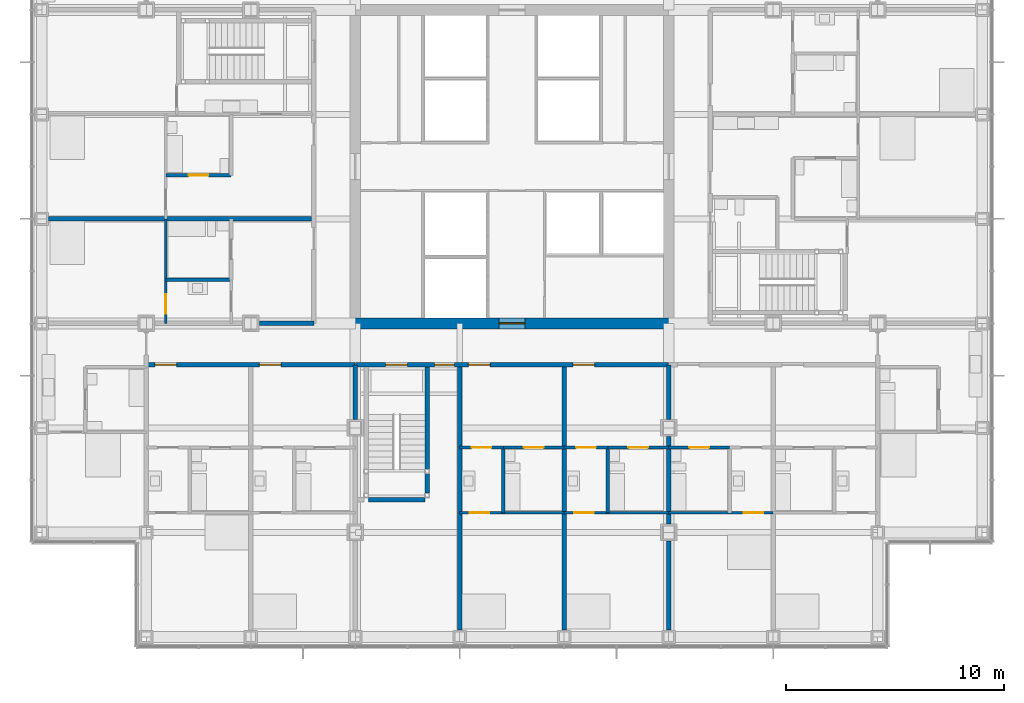
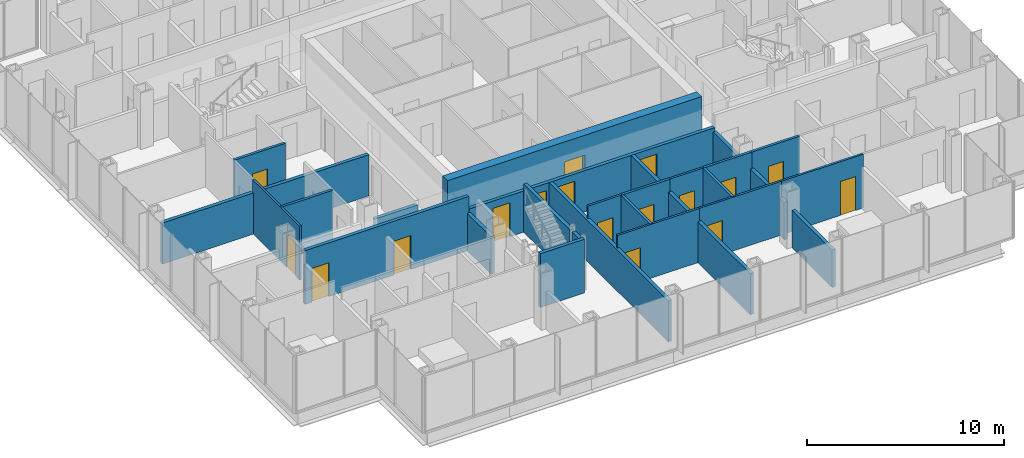
# One storey, part 14 of 22: 27 walls, 17 doors, 17 openings.
"""IFC4 building model written with IfcOpenShell, lengths in metres."""

from ifc_helpers import new_model, si_unit, direction, frame, frame_2d, origin, place, context, subcontext, project, spatial, rectangle, extrude, material, layer, layer_set, type_object, element, fill, save


model = new_model("IFC4")

# Units and contexts
model_context = context("Model", 3, precision=1e-05, world=origin(), true_north=direction((0.0, 1.0)))
body_context = subcontext(model_context, "Body", "Model", "MODEL_VIEW")
ifc_project = project(units=[si_unit("LENGTHUNIT", "METRE"), si_unit("AREAUNIT", "SQUARE_METRE"), si_unit("VOLUMEUNIT", "CUBIC_METRE"), si_unit("PLANEANGLEUNIT", "RADIAN"), si_unit("MASSUNIT", "GRAM", prefix="KILO")], contexts=[model_context])

# Site, building, storey
site_placement = place(None, origin())
site = spatial("IfcSite", under=ifc_project, at=site_placement, CompositionType="ELEMENT")
building_placement = place(site_placement, origin())
building = spatial("IfcBuilding", under=site, at=building_placement, Name="Kvirike Care Tower", CompositionType="ELEMENT")
storey_placement = place(building_placement, frame((0.0, 0.0, 72.5)))
storey = spatial("IfcBuildingStorey", under=building, at=storey_placement, Name="L19", CompositionType="ELEMENT", Elevation=72.5)

# Wall, opening, door
ifc_material_1 = material(Name="Moisture-resistant board partition", Category="gypsum")
ifc_layer_1 = layer(ifc_material_1, 0.14990234375)
ifc_layer_set_1 = layer_set([ifc_layer_1], Name="BATHROOM WALL 150")
wall_type_1 = type_object("IfcWallType", Name="BATHROOM WALL 150", PredefinedType="PARTITIONING", material=ifc_layer_set_1)
wall_1_placement = place(storey_placement, frame((5.699951171875, 35.60009765625, 0.0), z_axis=(0.0, 0.0, 1.0), x_axis=(1.0, 0.0, 0.0)))
wall_1 = element("IfcWall", 1, at=wall_1_placement, inside=storey, type_object=wall_type_1, Name="Bathroom Wall 150 L19", PredefinedType="PARTITIONING", context=body_context, shape_type="SweptSolid", body=[
    extrude(rectangle(XDim=3.0, YDim=0.14990234375, at=frame_2d((1.5, 0.0))), origin(), (0.0, 0.0, 1.0), 3.330078125),
])
opening_1_placement = place(wall_1_placement, frame((1.050048828125, 0.0, 0.0)))
opening_1 = element("IfcOpeningElement", 2, at=opening_1_placement, cuts=wall_1, Name="Opening 19-012", PredefinedType="OPENING", context=body_context, shape_type="SweptSolid", body=[
    extrude(rectangle(XDim=0.89990234375, YDim=2.10009765625, at=frame_2d((0.449951171875, 1.050048828125))), frame((0.0, 0.08544921875, 0.0), z_axis=(0.0, -1.0, 0.0), x_axis=(1.0, 0.0, 0.0)), (0.0, 0.0, 1.0), 0.1708984375),
])
ifc_material_2 = material(Name="Timber door set", Category="wood")
door_type_1 = type_object("IfcDoorType", Name="BATHROOM DOOR 900", OperationType="SINGLE_SWING_RIGHT", PredefinedType="DOOR", material=ifc_material_2)
door_1_placement = place(opening_1_placement, origin())
door_1 = element("IfcDoor", 3, at=door_1_placement, inside=storey, type_object=door_type_1, Name="Bathroom door", OperationType="SINGLE_SWING_RIGHT", OverallHeight=2.10009765625, OverallWidth=0.89990234375, PredefinedType="DOOR", context=body_context, shape_type="SweptSolid", body=[
    extrude(rectangle(XDim=0.89990234375, YDim=2.10009765625, at=frame_2d((0.449951171875, 1.050048828125))), frame((0.0, 0.02197265625, 0.0), z_axis=(0.0, -1.0, 0.0), x_axis=(1.0, 0.0, 0.0)), (0.0, 0.0, 1.0), 0.0439453125),
])
fill(opening_1, door_1)

# Walls
for number, where, z_axis, x_axis, name in (
    (4, (5.699951171875, 30.800048828125, 0.0), (0.0, 0.0, 1.0), (1.0, 0.0, 0.0), "Bathroom Wall 150 L19"),
    (5, (21.199951171875, 20.10009765625, 0.0), (0.0, 0.0, 1.0), (0.0, 1.0, 0.0), "Bathroom Wall 150 L19"),
):
    element("IfcWall", number, at=place(storey_placement, frame(where, z_axis=z_axis, x_axis=x_axis)), inside=storey, type_object=wall_type_1, Name=name, PredefinedType="PARTITIONING", context=body_context, shape_type="SweptSolid", body=[
        extrude(rectangle(XDim=3.0, YDim=0.14990234375, at=frame_2d((1.5, 0.0))), origin(), (0.0, 0.0, 1.0), 3.330078125),
    ])

# Wall, opening, door
wall_2_placement = place(storey_placement, frame((21.199951171875, 23.10009765625, 0.0), z_axis=(0.0, 0.0, 1.0), x_axis=(1.0, 0.0, 0.0)))
wall_2 = element("IfcWall", 6, at=wall_2_placement, inside=storey, type_object=wall_type_1, Name="Bathroom Wall 150 L19", PredefinedType="PARTITIONING", context=body_context, shape_type="SweptSolid", body=[
    extrude(rectangle(XDim=2.800048828125, YDim=0.14990234375, at=frame_2d((1.39990234375, 0.0))), origin(), (0.0, 0.0, 1.0), 3.330078125),
])
opening_2_placement = place(wall_2_placement, frame((0.949951171875, 0.0, 0.0)))
opening_2 = element("IfcOpeningElement", 7, at=opening_2_placement, cuts=wall_2, Name="Opening 19-033", PredefinedType="OPENING", context=body_context, shape_type="SweptSolid", body=[
    extrude(rectangle(XDim=0.89990234375, YDim=2.10009765625, at=frame_2d((0.449951171875, 1.050048828125))), frame((0.0, 0.08544921875, 0.0), z_axis=(0.0, -1.0, 0.0), x_axis=(1.0, 0.0, 0.0)), (0.0, 0.0, 1.0), 0.1708984375),
])
door_2_placement = place(opening_2_placement, frame((0.89990234375, 0.0, 0.0), z_axis=(0.0, 0.0, 1.0), x_axis=(-1.0, 0.0, 0.0)))
door_2 = element("IfcDoor", 8, at=door_2_placement, inside=storey, type_object=door_type_1, Name="Bathroom door", OperationType="SINGLE_SWING_LEFT", OverallHeight=2.10009765625, OverallWidth=0.89990234375, PredefinedType="DOOR", context=body_context, shape_type="SweptSolid", body=[
    extrude(rectangle(XDim=0.89990234375, YDim=2.10009765625, at=frame_2d((0.449951171875, 1.050048828125))), frame((0.0, 0.02197265625, 0.0), z_axis=(0.0, -1.0, 0.0), x_axis=(1.0, 0.0, 0.0)), (0.0, 0.0, 1.0), 0.0439453125),
])
fill(opening_2, door_2)

# Wall
wall_3_placement = place(storey_placement, frame((26.0, 20.10009765625, 0.0), z_axis=(0.0, 0.0, 1.0), x_axis=(0.0, 1.0, 0.0)))
element("IfcWall", 9, at=wall_3_placement, inside=storey, type_object=wall_type_1, Name="Bathroom Wall 150 L19", PredefinedType="PARTITIONING", context=body_context, shape_type="SweptSolid", body=[
    extrude(rectangle(XDim=3.0, YDim=0.14990234375, at=frame_2d((1.5, 0.0))), origin(), (0.0, 0.0, 1.0), 3.330078125),
])

# Wall, opening, door
wall_4_placement = place(storey_placement, frame((26.0, 23.10009765625, 0.0), z_axis=(0.0, 0.0, 1.0), x_axis=(1.0, 0.0, 0.0)))
wall_4 = element("IfcWall", 10, at=wall_4_placement, inside=storey, type_object=wall_type_1, Name="Bathroom Wall 150 L19", PredefinedType="PARTITIONING", context=body_context, shape_type="SweptSolid", body=[
    extrude(rectangle(XDim=2.800048828125, YDim=0.14990234375, at=frame_2d((1.39990234375, 0.0))), origin(), (0.0, 0.0, 1.0), 3.330078125),
])
opening_3_placement = place(wall_4_placement, frame((0.949951171875, 0.0, 0.0)))
opening_3 = element("IfcOpeningElement", 11, at=opening_3_placement, cuts=wall_4, Name="Opening 19-036", PredefinedType="OPENING", context=body_context, shape_type="SweptSolid", body=[
    extrude(rectangle(XDim=0.89990234375, YDim=2.10009765625, at=frame_2d((0.449951171875, 1.050048828125))), frame((0.0, 0.08544921875, 0.0), z_axis=(0.0, -1.0, 0.0), x_axis=(1.0, 0.0, 0.0)), (0.0, 0.0, 1.0), 0.1708984375),
])
door_3_placement = place(opening_3_placement, frame((0.89990234375, 0.0, 0.0), z_axis=(0.0, 0.0, 1.0), x_axis=(-1.0, 0.0, 0.0)))
door_3 = element("IfcDoor", 12, at=door_3_placement, inside=storey, type_object=door_type_1, Name="Bathroom door", OperationType="SINGLE_SWING_LEFT", OverallHeight=2.10009765625, OverallWidth=0.89990234375, PredefinedType="DOOR", context=body_context, shape_type="SweptSolid", body=[
    extrude(rectangle(XDim=0.89990234375, YDim=2.10009765625, at=frame_2d((0.449951171875, 1.050048828125))), frame((0.0, 0.02197265625, 0.0), z_axis=(0.0, -1.0, 0.0), x_axis=(1.0, 0.0, 0.0)), (0.0, 0.0, 1.0), 0.0439453125),
])
fill(opening_3, door_3)

wall_5_placement = place(storey_placement, frame((28.800048828125, 23.10009765625, 0.0), z_axis=(0.0, 0.0, 1.0), x_axis=(1.0, 0.0, 0.0)))
wall_5 = element("IfcWall", 13, at=wall_5_placement, inside=storey, type_object=wall_type_1, Name="Bathroom Wall 150 L19", PredefinedType="PARTITIONING", context=body_context, shape_type="SweptSolid", body=[
    extrude(rectangle(XDim=2.800048828125, YDim=0.14990234375, at=frame_2d((1.39990234375, 0.0))), origin(), (0.0, 0.0, 1.0), 3.330078125),
])
opening_4_placement = place(wall_5_placement, frame((0.949951171875, 0.0, 0.0)))
opening_4 = element("IfcOpeningElement", 14, at=opening_4_placement, cuts=wall_5, Name="Opening 19-055", PredefinedType="OPENING", context=body_context, shape_type="SweptSolid", body=[
    extrude(rectangle(XDim=0.89990234375, YDim=2.10009765625, at=frame_2d((0.449951171875, 1.050048828125))), frame((0.0, 0.08544921875, 0.0), z_axis=(0.0, -1.0, 0.0), x_axis=(1.0, 0.0, 0.0)), (0.0, 0.0, 1.0), 0.1708984375),
])
door_4_placement = place(opening_4_placement, frame((0.89990234375, 0.0, 0.0), z_axis=(0.0, 0.0, 1.0), x_axis=(-1.0, 0.0, 0.0)))
door_4 = element("IfcDoor", 15, at=door_4_placement, inside=storey, type_object=door_type_1, Name="Bathroom door", OperationType="SINGLE_SWING_RIGHT", OverallHeight=2.10009765625, OverallWidth=0.89990234375, PredefinedType="DOOR", context=body_context, shape_type="SweptSolid", body=[
    extrude(rectangle(XDim=0.89990234375, YDim=2.10009765625, at=frame_2d((0.449951171875, 1.050048828125))), frame((0.0, 0.02197265625, 0.0), z_axis=(0.0, -1.0, 0.0), x_axis=(1.0, 0.0, 0.0)), (0.0, 0.0, 1.0), 0.0439453125),
])
fill(opening_4, door_4)

ifc_material_3 = material(Name="Concrete C60/75", Category="concrete")
ifc_layer_2 = layer(ifc_material_3, 0.5)
ifc_layer_set_2 = layer_set([ifc_layer_2], Name="CORE WALL 500 C60-75")
wall_type_2 = type_object("IfcWallType", Name="CORE WALL 500 C60-75", PredefinedType="SHEAR", material=ifc_layer_set_2)
wall_6_placement = place(storey_placement, frame((14.14990234375, 28.800048828125, -0.169921875), z_axis=(0.0, 0.0, 1.0), x_axis=(1.0, 0.0, 0.0)))
wall_6 = element("IfcWall", 16, at=wall_6_placement, inside=storey, type_object=wall_type_2, Name="Core wall S L19", PredefinedType="SHEAR", context=body_context, shape_type="SweptSolid", body=[
    extrude(rectangle(XDim=14.900146484375, YDim=0.5, at=frame_2d((7.4501953125, 0.0))), origin(), (0.0, 0.0, 1.0), 3.5),
])
opening_5_placement = place(wall_6_placement, frame((6.85009765625, 0.0, 0.169921875)))
opening_5 = element("IfcOpeningElement", 17, at=opening_5_placement, cuts=wall_6, Name="Opening 19-098", PredefinedType="OPENING", context=body_context, shape_type="SweptSolid", body=[
    extrude(rectangle(XDim=1.199951171875, YDim=2.10009765625, at=frame_2d((0.60009765625, 1.050048828125))), frame((0.0, 0.260498046875, 0.0), z_axis=(0.0, -1.0, 0.0), x_axis=(1.0, 0.0, 0.0)), (0.0, 0.0, 1.0), 0.52099609375),
])
ifc_material_4 = material(Name="Timber door set", Category="wood")
door_type_2 = type_object("IfcDoorType", Name="CORE DOOR 1200", OperationType="SINGLE_SWING_LEFT", PredefinedType="DOOR", material=ifc_material_4)
door_5_placement = place(opening_5_placement, origin())
door_5 = element("IfcDoor", 18, at=door_5_placement, inside=storey, type_object=door_type_2, Name="Core door S L19", OperationType="SINGLE_SWING_LEFT", OverallHeight=2.10009765625, OverallWidth=1.199951171875, PredefinedType="DOOR", context=body_context, shape_type="SweptSolid", body=[
    extrude(rectangle(XDim=1.199951171875, YDim=2.10009765625, at=frame_2d((0.60009765625, 1.050048828125))), frame((0.0, 0.02685546875, 0.0), z_axis=(0.0, -1.0, 0.0), x_axis=(1.0, 0.0, 0.0)), (0.0, 0.0, 1.0), 0.053955078125),
])
fill(opening_5, door_5)

# Wall, openings, doors
ifc_material_5 = material(Name="Plasterboard corridor wall", Category="gypsum")
ifc_layer_3 = layer(ifc_material_5, 0.199951171875)
ifc_layer_set_3 = layer_set([ifc_layer_3], Name="CORRIDOR WALL 200")
wall_type_3 = type_object("IfcWallType", Name="CORRIDOR WALL 200", PredefinedType="PARTITIONING", material=ifc_layer_set_3)
wall_7_placement = place(storey_placement, frame((4.800048828125, 26.89990234375, 0.0), z_axis=(0.0, 0.0, 1.0), x_axis=(1.0, 0.0, 0.0)))
wall_7 = element("IfcWall", 19, at=wall_7_placement, inside=storey, type_object=wall_type_3, Name="Corridor Wall 200 L19", PredefinedType="PARTITIONING", context=body_context, shape_type="SweptSolid", body=[
    extrude(rectangle(XDim=9.599853515625, YDim=0.199951171875, at=frame_2d((4.7998046875, 0.0))), origin(), (0.0, 0.0, 1.0), 3.330078125),
])
opening_6_placement = place(wall_7_placement, frame((0.39990234375, 0.0, 0.0)))
opening_6 = element("IfcOpeningElement", 20, at=opening_6_placement, cuts=wall_7, Name="Opening 19-009", PredefinedType="OPENING", context=body_context, shape_type="SweptSolid", body=[
    extrude(rectangle(XDim=1.0, YDim=2.10009765625, at=frame_2d((0.5, 1.050048828125))), frame((0.0, 0.110595703125, 0.0), z_axis=(0.0, -1.0, 0.0), x_axis=(1.0, 0.0, 0.0)), (0.0, 0.0, 1.0), 0.220947265625),
])
opening_7_placement = place(wall_7_placement, frame((5.199951171875, 0.0, 0.0)))
opening_7 = element("IfcOpeningElement", 21, at=opening_7_placement, cuts=wall_7, Name="Opening 19-010", PredefinedType="OPENING", context=body_context, shape_type="SweptSolid", body=[
    extrude(rectangle(XDim=1.0, YDim=2.10009765625, at=frame_2d((0.5, 1.050048828125))), frame((0.0, 0.110595703125, 0.0), z_axis=(0.0, -1.0, 0.0), x_axis=(1.0, 0.0, 0.0)), (0.0, 0.0, 1.0), 0.220947265625),
])
ifc_material_6 = material(Name="Timber door set", Category="wood")
door_type_3 = type_object("IfcDoorType", Name="FLAT ENTRANCE DOOR 1000", OperationType="SINGLE_SWING_LEFT", PredefinedType="DOOR", material=ifc_material_6)
door_6_placement = place(opening_6_placement, frame((1.0, 0.0, 0.0), z_axis=(0.0, 0.0, 1.0), x_axis=(-1.0, 0.0, 0.0)))
door_6 = element("IfcDoor", 22, at=door_6_placement, inside=storey, type_object=door_type_3, Name="Studio apartment entrance", OperationType="SINGLE_SWING_LEFT", OverallHeight=2.10009765625, OverallWidth=1.0, PredefinedType="DOOR", context=body_context, shape_type="SweptSolid", body=[
    extrude(rectangle(XDim=1.0, YDim=2.10009765625, at=frame_2d((0.5, 1.050048828125))), frame((0.0, 0.02685546875, 0.0), z_axis=(0.0, -1.0, 0.0), x_axis=(1.0, 0.0, 0.0)), (0.0, 0.0, 1.0), 0.053955078125),
])
fill(opening_6, door_6)
door_7_placement = place(opening_7_placement, frame((1.0, 0.0, 0.0), z_axis=(0.0, 0.0, 1.0), x_axis=(-1.0, 0.0, 0.0)))
door_7 = element("IfcDoor", 23, at=door_7_placement, inside=storey, type_object=door_type_3, Name="Studio apartment entrance", OperationType="SINGLE_SWING_LEFT", OverallHeight=2.10009765625, OverallWidth=1.0, PredefinedType="DOOR", context=body_context, shape_type="SweptSolid", body=[
    extrude(rectangle(XDim=1.0, YDim=2.10009765625, at=frame_2d((0.5, 1.050048828125))), frame((0.0, 0.02685546875, 0.0), z_axis=(0.0, -1.0, 0.0), x_axis=(1.0, 0.0, 0.0)), (0.0, 0.0, 1.0), 0.053955078125),
])
fill(opening_7, door_7)

wall_8_placement = place(storey_placement, frame((14.39990234375, 26.89990234375, 0.0), z_axis=(0.0, 0.0, 1.0), x_axis=(1.0, 0.0, 0.0)))
wall_8 = element("IfcWall", 24, at=wall_8_placement, inside=storey, type_object=wall_type_3, Name="Corridor Wall 200 L19", PredefinedType="PARTITIONING", context=body_context, shape_type="SweptSolid", body=[
    extrude(rectangle(XDim=14.400146484375, YDim=0.199951171875, at=frame_2d((7.2001953125, 0.0))), origin(), (0.0, 0.0, 1.0), 2.550048828125),
])
opening_8_placement = place(wall_8_placement, frame((1.39990234375, 0.0, 0.0)))
opening_8 = element("IfcOpeningElement", 25, at=opening_8_placement, cuts=wall_8, Name="Opening 19-039", PredefinedType="OPENING", context=body_context, shape_type="SweptSolid", body=[
    extrude(rectangle(XDim=1.0, YDim=2.10009765625, at=frame_2d((0.5, 1.050048828125))), frame((0.0, 0.110595703125, 0.0), z_axis=(0.0, -1.0, 0.0), x_axis=(1.0, 0.0, 0.0)), (0.0, 0.0, 1.0), 0.220947265625),
])
opening_9_placement = place(wall_8_placement, frame((3.64990234375, 0.0, 0.0)))
opening_9 = element("IfcOpeningElement", 26, at=opening_9_placement, cuts=wall_8, Name="Opening 19-040", PredefinedType="OPENING", context=body_context, shape_type="SweptSolid", body=[
    extrude(rectangle(XDim=0.89990234375, YDim=2.10009765625, at=frame_2d((0.449951171875, 1.050048828125))), frame((0.0, 0.110595703125, 0.0), z_axis=(0.0, -1.0, 0.0), x_axis=(1.0, 0.0, 0.0)), (0.0, 0.0, 1.0), 0.220947265625),
])
opening_10_placement = place(wall_8_placement, frame((5.199951171875, 0.0, 0.0)))
opening_10 = element("IfcOpeningElement", 27, at=opening_10_placement, cuts=wall_8, Name="Opening 19-041", PredefinedType="OPENING", context=body_context, shape_type="SweptSolid", body=[
    extrude(rectangle(XDim=1.0, YDim=2.10009765625, at=frame_2d((0.5, 1.050048828125))), frame((0.0, 0.110595703125, 0.0), z_axis=(0.0, -1.0, 0.0), x_axis=(1.0, 0.0, 0.0)), (0.0, 0.0, 1.0), 0.220947265625),
])
opening_11_placement = place(wall_8_placement, frame((10.0, 0.0, 0.0)))
opening_11 = element("IfcOpeningElement", 28, at=opening_11_placement, cuts=wall_8, Name="Opening 19-042", PredefinedType="OPENING", context=body_context, shape_type="SweptSolid", body=[
    extrude(rectangle(XDim=1.0, YDim=2.10009765625, at=frame_2d((0.5, 1.050048828125))), frame((0.0, 0.110595703125, 0.0), z_axis=(0.0, -1.0, 0.0), x_axis=(1.0, 0.0, 0.0)), (0.0, 0.0, 1.0), 0.220947265625),
])
door_8_placement = place(opening_10_placement, frame((1.0, 0.0, 0.0), z_axis=(0.0, 0.0, 1.0), x_axis=(-1.0, 0.0, 0.0)))
door_8 = element("IfcDoor", 29, at=door_8_placement, inside=storey, type_object=door_type_3, Name="Studio apartment entrance", OperationType="SINGLE_SWING_LEFT", OverallHeight=2.10009765625, OverallWidth=1.0, PredefinedType="DOOR", context=body_context, shape_type="SweptSolid", body=[
    extrude(rectangle(XDim=1.0, YDim=2.10009765625, at=frame_2d((0.5, 1.050048828125))), frame((0.0, 0.02685546875, 0.0), z_axis=(0.0, -1.0, 0.0), x_axis=(1.0, 0.0, 0.0)), (0.0, 0.0, 1.0), 0.053955078125),
])
fill(opening_10, door_8)
door_9_placement = place(opening_11_placement, frame((1.0, 0.0, 0.0), z_axis=(0.0, 0.0, 1.0), x_axis=(-1.0, 0.0, 0.0)))
door_9 = element("IfcDoor", 30, at=door_9_placement, inside=storey, type_object=door_type_3, Name="Studio apartment entrance", OperationType="SINGLE_SWING_LEFT", OverallHeight=2.10009765625, OverallWidth=1.0, PredefinedType="DOOR", context=body_context, shape_type="SweptSolid", body=[
    extrude(rectangle(XDim=1.0, YDim=2.10009765625, at=frame_2d((0.5, 1.050048828125))), frame((0.0, 0.02685546875, 0.0), z_axis=(0.0, -1.0, 0.0), x_axis=(1.0, 0.0, 0.0)), (0.0, 0.0, 1.0), 0.053955078125),
])
fill(opening_11, door_9)
ifc_material_7 = material(Name="Timber door set", Category="wood")
door_type_4 = type_object("IfcDoorType", Name="STAIR DOOR 1000", OperationType="SINGLE_SWING_LEFT", PredefinedType="DOOR", material=ifc_material_7)
door_10_placement = place(opening_8_placement, frame((1.0, 0.0, 0.0), z_axis=(0.0, 0.0, 1.0), x_axis=(-1.0, 0.0, 0.0)))
door_10 = element("IfcDoor", 31, at=door_10_placement, inside=storey, type_object=door_type_4, Name="Stair 5 door", OperationType="SINGLE_SWING_LEFT", OverallHeight=2.10009765625, OverallWidth=1.0, PredefinedType="DOOR", context=body_context, shape_type="SweptSolid", body=[
    extrude(rectangle(XDim=1.0, YDim=2.10009765625, at=frame_2d((0.5, 1.050048828125))), frame((0.0, 0.031982421875, 0.0), z_axis=(0.0, -1.0, 0.0), x_axis=(1.0, 0.0, 0.0)), (0.0, 0.0, 1.0), 0.06396484375),
])
fill(opening_8, door_10)
ifc_material_8 = material(Name="Timber door set", Category="wood")
door_type_5 = type_object("IfcDoorType", Name="STORE DOOR 900", OperationType="SINGLE_SWING_LEFT", PredefinedType="DOOR", material=ifc_material_8)
door_11_placement = place(opening_9_placement, frame((0.89990234375, 0.0, 0.0), z_axis=(0.0, 0.0, 1.0), x_axis=(-1.0, 0.0, 0.0)))
door_11 = element("IfcDoor", 32, at=door_11_placement, inside=storey, type_object=door_type_5, Name="Housekeeping room door", OperationType="SINGLE_SWING_LEFT", OverallHeight=2.10009765625, OverallWidth=0.89990234375, PredefinedType="DOOR", context=body_context, shape_type="SweptSolid", body=[
    extrude(rectangle(XDim=0.89990234375, YDim=2.10009765625, at=frame_2d((0.449951171875, 1.050048828125))), frame((0.0, 0.02685546875, 0.0), z_axis=(0.0, -1.0, 0.0), x_axis=(1.0, 0.0, 0.0)), (0.0, 0.0, 1.0), 0.053955078125),
])
fill(opening_9, door_11)

# Wall, opening, door
ifc_material_9 = material(Name="Plasterboard partition", Category="gypsum")
ifc_layer_4 = layer(ifc_material_9, 0.1201171875)
ifc_layer_set_4 = layer_set([ifc_layer_4], Name="PARTITION 120")
wall_type_4 = type_object("IfcWallType", Name="PARTITION 120", PredefinedType="PARTITIONING", material=ifc_layer_set_4)
wall_9_placement = place(storey_placement, frame((5.699951171875, 33.60009765625, 0.0), z_axis=(0.0, 0.0, 1.0), x_axis=(0.0, -1.0, 0.0)))
wall_9 = element("IfcWall", 33, at=wall_9_placement, inside=storey, type_object=wall_type_4, Name="Partition 120 L19", PredefinedType="PARTITIONING", context=body_context, shape_type="SweptSolid", body=[
    extrude(rectangle(XDim=4.800048828125, YDim=0.1201171875, at=frame_2d((2.39990234375, 0.0))), origin(), (0.0, 0.0, 1.0), 3.330078125),
])
opening_12_placement = place(wall_9_placement, frame((3.449951171875, 0.0, 0.0)))
opening_12 = element("IfcOpeningElement", 34, at=opening_12_placement, cuts=wall_9, Name="Opening 19-018", PredefinedType="OPENING", context=body_context, shape_type="SweptSolid", body=[
    extrude(rectangle(XDim=0.89990234375, YDim=2.10009765625, at=frame_2d((0.449951171875, 1.050048828125))), frame((0.0, 0.070556640625, 0.0), z_axis=(0.0, -1.0, 0.0), x_axis=(1.0, 0.0, 0.0)), (0.0, 0.0, 1.0), 0.14111328125),
])
ifc_material_10 = material(Name="Timber door set", Category="wood")
door_type_6 = type_object("IfcDoorType", Name="INTERNAL DOOR 900", OperationType="SINGLE_SWING_LEFT", PredefinedType="DOOR", material=ifc_material_10)
door_12_placement = place(opening_12_placement, origin())
door_12 = element("IfcDoor", 35, at=door_12_placement, inside=storey, type_object=door_type_6, Name="Studio apartment living room door", OperationType="SINGLE_SWING_LEFT", OverallHeight=2.10009765625, OverallWidth=0.89990234375, PredefinedType="DOOR", context=body_context, shape_type="SweptSolid", body=[
    extrude(rectangle(XDim=0.89990234375, YDim=2.10009765625, at=frame_2d((0.449951171875, 1.050048828125))), frame((0.0, 0.02197265625, 0.0), z_axis=(0.0, -1.0, 0.0), x_axis=(1.0, 0.0, 0.0)), (0.0, 0.0, 1.0), 0.0439453125),
])
fill(opening_12, door_12)

wall_10_placement = place(storey_placement, frame((19.199951171875, 23.10009765625, 0.0), z_axis=(0.0, 0.0, 1.0), x_axis=(1.0, 0.0, 0.0)))
wall_10 = element("IfcWall", 36, at=wall_10_placement, inside=storey, type_object=wall_type_4, Name="Partition 120 L19", PredefinedType="PARTITIONING", context=body_context, shape_type="SweptSolid", body=[
    extrude(rectangle(XDim=2.0, YDim=0.1201171875, at=frame_2d((1.0, 0.0))), origin(), (0.0, 0.0, 1.0), 3.330078125),
])
opening_13_placement = place(wall_10_placement, frame((0.550048828125, 0.0, 0.0)))
opening_13 = element("IfcOpeningElement", 37, at=opening_13_placement, cuts=wall_10, Name="Opening 19-034", PredefinedType="OPENING", context=body_context, shape_type="SweptSolid", body=[
    extrude(rectangle(XDim=0.89990234375, YDim=2.10009765625, at=frame_2d((0.449951171875, 1.050048828125))), frame((0.0, 0.070556640625, 0.0), z_axis=(0.0, -1.0, 0.0), x_axis=(1.0, 0.0, 0.0)), (0.0, 0.0, 1.0), 0.14111328125),
])
door_13_placement = place(opening_13_placement, frame((0.89990234375, 0.0, 0.0), z_axis=(0.0, 0.0, 1.0), x_axis=(-1.0, 0.0, 0.0)))
door_13 = element("IfcDoor", 38, at=door_13_placement, inside=storey, type_object=door_type_6, Name="Kitchen door", OperationType="SINGLE_SWING_LEFT", OverallHeight=2.10009765625, OverallWidth=0.89990234375, PredefinedType="DOOR", context=body_context, shape_type="SweptSolid", body=[
    extrude(rectangle(XDim=0.89990234375, YDim=2.10009765625, at=frame_2d((0.449951171875, 1.050048828125))), frame((0.0, 0.02197265625, 0.0), z_axis=(0.0, -1.0, 0.0), x_axis=(1.0, 0.0, 0.0)), (0.0, 0.0, 1.0), 0.0439453125),
])
fill(opening_13, door_13)

wall_11_placement = place(storey_placement, frame((19.199951171875, 20.10009765625, 0.0), z_axis=(0.0, 0.0, 1.0), x_axis=(1.0, 0.0, 0.0)))
wall_11 = element("IfcWall", 39, at=wall_11_placement, inside=storey, type_object=wall_type_4, Name="Partition 120 L19", PredefinedType="PARTITIONING", context=body_context, shape_type="SweptSolid", body=[
    extrude(rectangle(XDim=4.800048828125, YDim=0.1201171875, at=frame_2d((2.39990234375, 0.0))), origin(), (0.0, 0.0, 1.0), 3.330078125),
])
opening_14_placement = place(wall_11_placement, frame((0.449951171875, 0.0, 0.0)))
opening_14 = element("IfcOpeningElement", 40, at=opening_14_placement, cuts=wall_11, Name="Opening 19-035", PredefinedType="OPENING", context=body_context, shape_type="SweptSolid", body=[
    extrude(rectangle(XDim=0.89990234375, YDim=2.10009765625, at=frame_2d((0.449951171875, 1.050048828125))), frame((0.0, 0.070556640625, 0.0), z_axis=(0.0, -1.0, 0.0), x_axis=(1.0, 0.0, 0.0)), (0.0, 0.0, 1.0), 0.14111328125),
])
door_14_placement = place(opening_14_placement, origin())
door_14 = element("IfcDoor", 41, at=door_14_placement, inside=storey, type_object=door_type_6, Name="Studio apartment living room door", OperationType="SINGLE_SWING_RIGHT", OverallHeight=2.10009765625, OverallWidth=0.89990234375, PredefinedType="DOOR", context=body_context, shape_type="SweptSolid", body=[
    extrude(rectangle(XDim=0.89990234375, YDim=2.10009765625, at=frame_2d((0.449951171875, 1.050048828125))), frame((0.0, 0.02197265625, 0.0), z_axis=(0.0, -1.0, 0.0), x_axis=(1.0, 0.0, 0.0)), (0.0, 0.0, 1.0), 0.0439453125),
])
fill(opening_14, door_14)

wall_12_placement = place(storey_placement, frame((24.0, 23.10009765625, 0.0), z_axis=(0.0, 0.0, 1.0), x_axis=(1.0, 0.0, 0.0)))
wall_12 = element("IfcWall", 42, at=wall_12_placement, inside=storey, type_object=wall_type_4, Name="Partition 120 L19", PredefinedType="PARTITIONING", context=body_context, shape_type="SweptSolid", body=[
    extrude(rectangle(XDim=2.0, YDim=0.1201171875, at=frame_2d((1.0, 0.0))), origin(), (0.0, 0.0, 1.0), 3.330078125),
])
opening_15_placement = place(wall_12_placement, frame((0.550048828125, 0.0, 0.0)))
opening_15 = element("IfcOpeningElement", 43, at=opening_15_placement, cuts=wall_12, Name="Opening 19-037", PredefinedType="OPENING", context=body_context, shape_type="SweptSolid", body=[
    extrude(rectangle(XDim=0.89990234375, YDim=2.10009765625, at=frame_2d((0.449951171875, 1.050048828125))), frame((0.0, 0.070556640625, 0.0), z_axis=(0.0, -1.0, 0.0), x_axis=(1.0, 0.0, 0.0)), (0.0, 0.0, 1.0), 0.14111328125),
])
door_15_placement = place(opening_15_placement, frame((0.89990234375, 0.0, 0.0), z_axis=(0.0, 0.0, 1.0), x_axis=(-1.0, 0.0, 0.0)))
door_15 = element("IfcDoor", 44, at=door_15_placement, inside=storey, type_object=door_type_6, Name="Kitchen door", OperationType="SINGLE_SWING_LEFT", OverallHeight=2.10009765625, OverallWidth=0.89990234375, PredefinedType="DOOR", context=body_context, shape_type="SweptSolid", body=[
    extrude(rectangle(XDim=0.89990234375, YDim=2.10009765625, at=frame_2d((0.449951171875, 1.050048828125))), frame((0.0, 0.02197265625, 0.0), z_axis=(0.0, -1.0, 0.0), x_axis=(1.0, 0.0, 0.0)), (0.0, 0.0, 1.0), 0.0439453125),
])
fill(opening_15, door_15)

wall_13_placement = place(storey_placement, frame((24.0, 20.10009765625, 0.0), z_axis=(0.0, 0.0, 1.0), x_axis=(1.0, 0.0, 0.0)))
wall_13 = element("IfcWall", 45, at=wall_13_placement, inside=storey, type_object=wall_type_4, Name="Partition 120 L19", PredefinedType="PARTITIONING", context=body_context, shape_type="SweptSolid", body=[
    extrude(rectangle(XDim=4.800048828125, YDim=0.1201171875, at=frame_2d((2.39990234375, 0.0))), origin(), (0.0, 0.0, 1.0), 3.330078125),
])
opening_16_placement = place(wall_13_placement, frame((0.449951171875, 0.0, 0.0)))
opening_16 = element("IfcOpeningElement", 46, at=opening_16_placement, cuts=wall_13, Name="Opening 19-038", PredefinedType="OPENING", context=body_context, shape_type="SweptSolid", body=[
    extrude(rectangle(XDim=0.89990234375, YDim=2.10009765625, at=frame_2d((0.449951171875, 1.050048828125))), frame((0.0, 0.070556640625, 0.0), z_axis=(0.0, -1.0, 0.0), x_axis=(1.0, 0.0, 0.0)), (0.0, 0.0, 1.0), 0.14111328125),
])
door_16_placement = place(opening_16_placement, origin())
door_16 = element("IfcDoor", 47, at=door_16_placement, inside=storey, type_object=door_type_6, Name="Studio apartment living room door", OperationType="SINGLE_SWING_RIGHT", OverallHeight=2.10009765625, OverallWidth=0.89990234375, PredefinedType="DOOR", context=body_context, shape_type="SweptSolid", body=[
    extrude(rectangle(XDim=0.89990234375, YDim=2.10009765625, at=frame_2d((0.449951171875, 1.050048828125))), frame((0.0, 0.02197265625, 0.0), z_axis=(0.0, -1.0, 0.0), x_axis=(1.0, 0.0, 0.0)), (0.0, 0.0, 1.0), 0.0439453125),
])
fill(opening_16, door_16)

wall_14_placement = place(storey_placement, frame((28.800048828125, 20.10009765625, 0.0), z_axis=(0.0, 0.0, 1.0), x_axis=(1.0, 0.0, 0.0)))
wall_14 = element("IfcWall", 48, at=wall_14_placement, inside=storey, type_object=wall_type_4, Name="Partition 120 L19", PredefinedType="PARTITIONING", context=body_context, shape_type="SweptSolid", body=[
    extrude(rectangle(XDim=4.800048828125, YDim=0.1201171875, at=frame_2d((2.39990234375, 0.0))), origin(), (0.0, 0.0, 1.0), 3.330078125),
])
opening_17_placement = place(wall_14_placement, frame((3.449951171875, 0.0, 0.0)))
opening_17 = element("IfcOpeningElement", 49, at=opening_17_placement, cuts=wall_14, Name="Opening 19-057", PredefinedType="OPENING", context=body_context, shape_type="SweptSolid", body=[
    extrude(rectangle(XDim=0.89990234375, YDim=2.10009765625, at=frame_2d((0.449951171875, 1.050048828125))), frame((0.0, 0.070556640625, 0.0), z_axis=(0.0, -1.0, 0.0), x_axis=(1.0, 0.0, 0.0)), (0.0, 0.0, 1.0), 0.14111328125),
])
door_17_placement = place(opening_17_placement, origin())
door_17 = element("IfcDoor", 50, at=door_17_placement, inside=storey, type_object=door_type_6, Name="Studio apartment living room door", OperationType="SINGLE_SWING_LEFT", OverallHeight=2.10009765625, OverallWidth=0.89990234375, PredefinedType="DOOR", context=body_context, shape_type="SweptSolid", body=[
    extrude(rectangle(XDim=0.89990234375, YDim=2.10009765625, at=frame_2d((0.449951171875, 1.050048828125))), frame((0.0, 0.02197265625, 0.0), z_axis=(0.0, -1.0, 0.0), x_axis=(1.0, 0.0, 0.0)), (0.0, 0.0, 1.0), 0.0439453125),
])
fill(opening_17, door_17)

# Walls
ifc_material_11 = material(Name="Plasterboard party wall", Category="gypsum")
ifc_layer_5 = layer(ifc_material_11, 0.199951171875)
ifc_layer_set_5 = layer_set([ifc_layer_5], Name="PARTY WALL 200")
wall_type_5 = type_object("IfcWallType", Name="PARTY WALL 200", PredefinedType="PARTITIONING", material=ifc_layer_set_5)
wall_15_placement = place(storey_placement, frame((0.320068359375, 33.60009765625, 0.0), z_axis=(0.0, 0.0, 1.0), x_axis=(1.0, 0.0, 0.0)))
element("IfcWall", 51, at=wall_15_placement, inside=storey, type_object=wall_type_5, Name="Party Wall 200 L19", PredefinedType="PARTITIONING", context=body_context, shape_type="SweptSolid", body=[
    extrude(rectangle(XDim=12.079833984375, YDim=0.199951171875, at=frame_2d((6.0400390625, 0.0))), origin(), (0.0, 0.0, 1.0), 2.550048828125),
])
for number, where, z_axis, x_axis, name in (
    (52, (19.199951171875, 14.719970703125, 0.0), (0.0, 0.0, 1.0), (0.0, 1.0, 0.0), "Party Wall 200 L19"),
    (53, (24.0, 14.719970703125, 0.0), (0.0, 0.0, 1.0), (0.0, 1.0, 0.0), "Party Wall 200 L19"),
):
    element("IfcWall", number, at=place(storey_placement, frame(where, z_axis=z_axis, x_axis=x_axis)), inside=storey, type_object=wall_type_5, Name=name, PredefinedType="PARTITIONING", context=body_context, shape_type="SweptSolid", body=[
        extrude(rectangle(XDim=12.080078125, YDim=0.199951171875, at=frame_2d((6.0400390625, 0.0))), origin(), (0.0, 0.0, 1.0), 2.550048828125),
    ])
for number, where, z_axis, x_axis, name in (
    (54, (12.5, 28.800048828125, 0.0), (0.0, 0.0, 1.0), (-1.0, 0.0, 0.0), "Party Wall 200 L19"),
    (55, (14.39990234375, 24.39501953125, 0.0), (0.0, 0.0, 1.0), (0.0, 1.0, 0.0), "Party Wall 200 L19"),
):
    element("IfcWall", number, at=place(storey_placement, frame(where, z_axis=z_axis, x_axis=x_axis)), inside=storey, type_object=wall_type_5, Name=name, PredefinedType="PARTITIONING", context=body_context, shape_type="SweptSolid", body=[
        extrude(rectangle(XDim=2.5048828125, YDim=0.199951171875, at=frame_2d((1.25244140625, 0.0))), origin(), (0.0, 0.0, 1.0), 2.320068359375),
    ])
wall_16_placement = place(storey_placement, frame((28.800048828125, 14.719970703125, 0.0), z_axis=(0.0, 0.0, 1.0), x_axis=(0.0, 1.0, 0.0)))
element("IfcWall", 56, at=wall_16_placement, inside=storey, type_object=wall_type_5, Name="Party Wall 200 L19", PredefinedType="PARTITIONING", context=body_context, shape_type="SweptSolid", body=[
    extrude(rectangle(XDim=4.0849609375, YDim=0.199951171875, at=frame_2d((2.04248046875, 0.0))), origin(), (0.0, 0.0, 1.0), 2.320068359375),
])
wall_17_placement = place(storey_placement, frame((28.800048828125, 19.594970703125, 0.0), z_axis=(0.0, 0.0, 1.0), x_axis=(0.0, 1.0, 0.0)))
element("IfcWall", 57, at=wall_17_placement, inside=storey, type_object=wall_type_5, Name="Party Wall 200 L19", PredefinedType="PARTITIONING", context=body_context, shape_type="SweptSolid", body=[
    extrude(rectangle(XDim=4.010009765625, YDim=0.199951171875, at=frame_2d((2.0048828125, 0.0))), origin(), (0.0, 0.0, 1.0), 2.320068359375),
])
wall_18_placement = place(storey_placement, frame((28.800048828125, 24.39501953125, 0.0), z_axis=(0.0, 0.0, 1.0), x_axis=(0.0, 1.0, 0.0)))
element("IfcWall", 58, at=wall_18_placement, inside=storey, type_object=wall_type_5, Name="Party Wall 200 L19", PredefinedType="PARTITIONING", context=body_context, shape_type="SweptSolid", body=[
    extrude(rectangle(XDim=2.5048828125, YDim=0.199951171875, at=frame_2d((1.25244140625, 0.0))), origin(), (0.0, 0.0, 1.0), 2.320068359375),
])
ifc_material_12 = material(Name="Concrete C40/50", Category="concrete")
ifc_layer_6 = layer(ifc_material_12, 0.199951171875)
ifc_layer_set_6 = layer_set([ifc_layer_6], Name="STAIR WALL 200")
wall_type_6 = type_object("IfcWallType", Name="STAIR WALL 200", PredefinedType="SOLIDWALL", material=ifc_layer_set_6)
wall_19_placement = place(storey_placement, frame((17.699951171875, 21.0, 0.0), z_axis=(0.0, 0.0, 1.0), x_axis=(0.0, 1.0, 0.0)))
element("IfcWall", 59, at=wall_19_placement, inside=storey, type_object=wall_type_6, Name="Stair Wall 200 L19", PredefinedType="SOLIDWALL", context=body_context, shape_type="SweptSolid", body=[
    extrude(rectangle(XDim=0.89990234375, YDim=0.199951171875, at=frame_2d((0.449951171875, 0.0))), origin(), (0.0, 0.0, 1.0), 2.989990234375),
])
wall_20_placement = place(storey_placement, frame((17.699951171875, 22.10009765625, 0.0), z_axis=(0.0, 0.0, 1.0), x_axis=(0.0, 1.0, 0.0)))
element("IfcWall", 60, at=wall_20_placement, inside=storey, type_object=wall_type_6, Name="Stair Wall 200 L19", PredefinedType="SOLIDWALL", context=body_context, shape_type="SweptSolid", body=[
    extrude(rectangle(XDim=4.699951171875, YDim=0.199951171875, at=frame_2d((2.35009765625, 0.0))), origin(), (0.0, 0.0, 1.0), 2.989990234375),
])
wall_21_placement = place(storey_placement, frame((15.0, 20.699951171875, 0.0), z_axis=(0.0, 0.0, 1.0), x_axis=(1.0, 0.0, 0.0)))
element("IfcWall", 61, at=wall_21_placement, inside=storey, type_object=wall_type_6, Name="Stair Wall 200 L19", PredefinedType="SOLIDWALL", context=body_context, shape_type="SweptSolid", body=[
    extrude(rectangle(XDim=2.60009765625, YDim=0.199951171875, at=frame_2d((1.300048828125, 0.0))), origin(), (0.0, 0.0, 1.0), 3.330078125),
])

save(model, "model.ifc")
